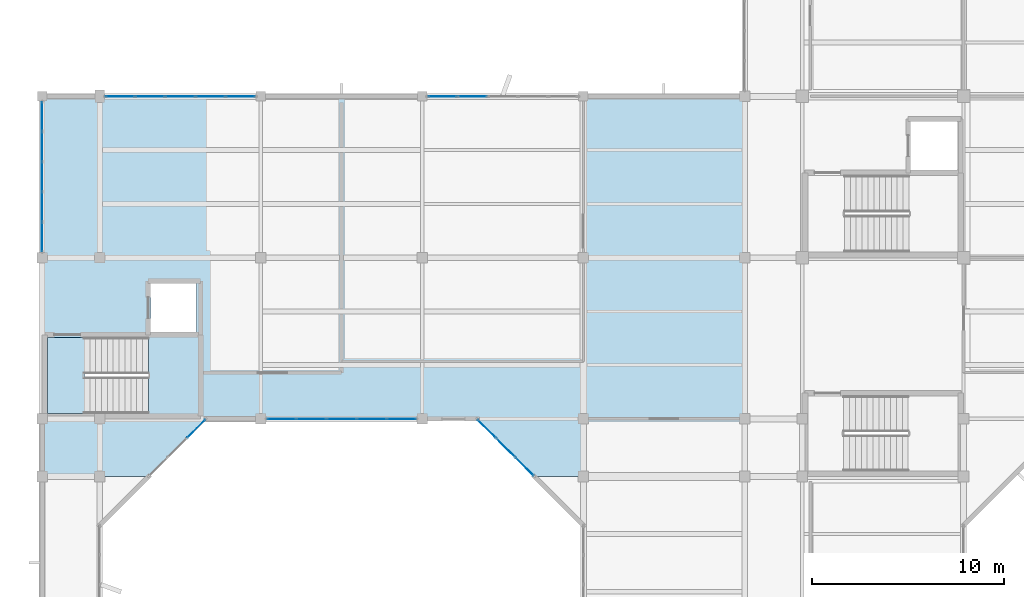
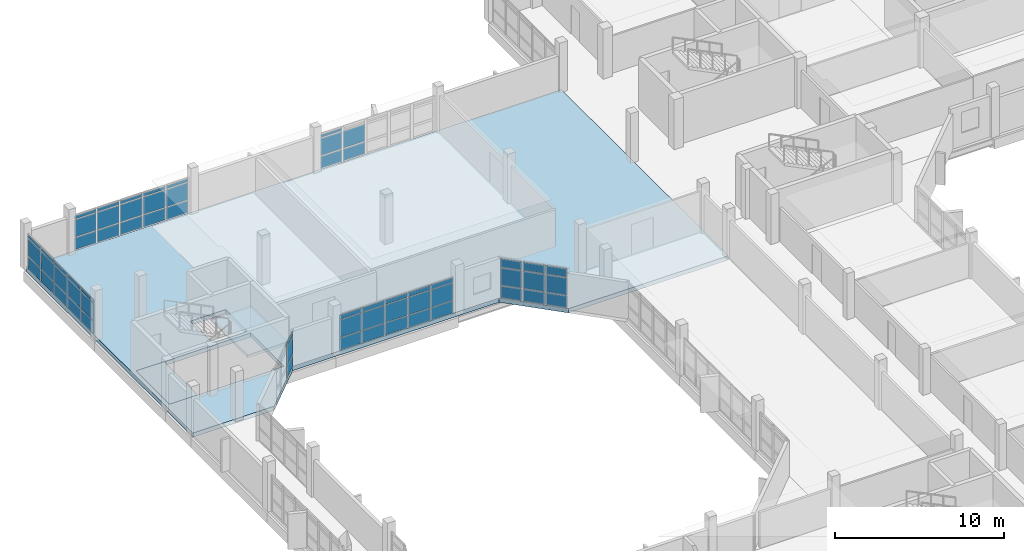
# One storey, part 27 of 51: 62 plates, 3 slabs, 7 elements without a shape of their own.
"""IFC4 building model written with IfcOpenShell, lengths in metres."""

import ifcopenshell
import ifcopenshell.guid

model = None  # the IFC model being written
_history = None  # IfcOwnerHistory: only IFC2X3 demands one
_inside = {}  # id of a spatial element -> (the spatial element, [elements in it])
_under = {}  # id of a project, library or spatial element -> (it, [spatial elements below it])
_declared = {}  # id of a project -> (the project, [libraries it declares])
_typed = {}  # id of a type object -> (the type object, [elements of that type])
_made_of = {}  # id of a material, layer set ... -> (it, [elements and type objects made of it])


def new_model(schema):
    """Start an empty IFC model of exactly this schema.

    Asked for "IFC4X3", IfcOpenShell would pick the latest addendum, in which some entities
    have other attributes; the version numbers below select the first issue.
    IFC2X3 requires an IfcOwnerHistory on every rooted entity: one is made here for all.
    """
    global model, _history
    if schema == "IFC4X3":
        model = ifcopenshell.file(schema_version=(4, 3, 0, 0))
    else:
        model = ifcopenshell.file(schema=schema)
    _inside.clear()
    _under.clear()
    _declared.clear()
    _typed.clear()
    _made_of.clear()
    _history = None
    if model.schema == "IFC2X3":
        org = make("IfcOrganization", Name="unknown")
        user = make(
            "IfcPersonAndOrganization",
            ThePerson=make("IfcPerson", FamilyName="unknown"),
            TheOrganization=org,
        )
        app = make(
            "IfcApplication",
            ApplicationDeveloper=org,
            Version="unknown",
            ApplicationFullName="unknown",
            ApplicationIdentifier="unknown",
        )
        _history = make(
            "IfcOwnerHistory",
            OwningUser=user,
            OwningApplication=app,
            ChangeAction="ADDED",
            CreationDate=0,
        )
    return model


def make(cls, **values):
    """One entity of the class cls with the attributes given. An attribute that is None is left unset."""
    return model.create_entity(
        cls, **{name: value for name, value in values.items() if value is not None}
    )


def rooted(cls, **values):
    """An entity with a GlobalId (a new one), such as an element, a storey or a relation."""
    return make(cls, GlobalId=ifcopenshell.guid.new(), OwnerHistory=_history, **values)


def si_unit(unit_type, name, prefix=None):
    """IfcSIUnit, for example si_unit("LENGTHUNIT", "METRE", prefix="MILLI")."""
    return make("IfcSIUnit", UnitType=unit_type, Prefix=prefix, Name=name)


def assignment(units):
    """IfcUnitAssignment: the units of a project."""
    return None if units is None else make("IfcUnitAssignment", Units=units)


def point(xyz):
    """IfcCartesianPoint."""
    return None if xyz is None else make("IfcCartesianPoint", Coordinates=xyz)


def direction(xyz):
    """IfcDirection."""
    return None if xyz is None else make("IfcDirection", DirectionRatios=xyz)


def frame(location, z_axis=None, x_axis=None):
    """IfcAxis2Placement3D, a coordinate frame: its origin and axes. An axis left out is left unset."""
    return make(
        "IfcAxis2Placement3D",
        Location=point(location),
        Axis=direction(z_axis),
        RefDirection=direction(x_axis),
    )


def frame_2d(location, x_axis=None):
    """IfcAxis2Placement2D, a coordinate frame in the plane: its origin and x axis."""
    return make(
        "IfcAxis2Placement2D", Location=point(location), RefDirection=direction(x_axis)
    )


def origin():
    """The frame at (0, 0, 0) with its axes left unset."""
    return frame((0.0, 0.0, 0.0))


def origin_2d():
    """The frame at (0, 0) in the plane with its x axis left unset."""
    return frame_2d((0.0, 0.0))


def place(relative_to, where):
    """IfcLocalPlacement: puts the frame where relative to a parent placement (None: the world)."""
    return make(
        "IfcLocalPlacement", PlacementRelTo=relative_to, RelativePlacement=where
    )


def context(
    kind, dimensions, precision=None, world=None, true_north=None, identifier=None
):
    """IfcGeometricRepresentationContext, for example the 3D "Model" context."""
    return make(
        "IfcGeometricRepresentationContext",
        ContextIdentifier=identifier,
        ContextType=kind,
        CoordinateSpaceDimension=dimensions,
        Precision=precision,
        WorldCoordinateSystem=world,
        TrueNorth=true_north,
    )


def subcontext(parent, identifier, kind, view, scale=None):
    """IfcGeometricRepresentationSubContext, for example "Body" below "Model"."""
    return make(
        "IfcGeometricRepresentationSubContext",
        ContextIdentifier=identifier,
        ContextType=kind,
        ParentContext=parent,
        TargetScale=scale,
        TargetView=view,
    )


def project(units=None, contexts=None):
    """IfcProject with its units and contexts."""
    return rooted(
        "IfcProject",
        Name="project",
        RepresentationContexts=contexts,
        UnitsInContext=assignment(units),
    )


def spatial(cls, under=None, at=None, **own):
    """A site, building, storey or space (cls), placed at a placement, below another one or the project."""
    s = rooted(cls, ObjectPlacement=at, **own)
    if under is not None:
        _under.setdefault(under.id(), (under, []))[1].append(s)
    return s


def polyline(points):
    """IfcPolyline through the points."""
    return make("IfcPolyline", Points=[point(p) for p in points])


def profile(cls, at=None, kind="AREA", **sizes):
    """A parametric profile (cls). Its sizes go by their IFC names, for example OverallWidth=200.0."""
    return make(cls, ProfileType=kind, Position=at, **sizes)


def rectangle(**sizes):
    """IfcRectangleProfileDef."""
    return profile("IfcRectangleProfileDef", **sizes)


def outline(outer, holes=None, kind="AREA"):
    """IfcArbitraryClosedProfileDef: a profile drawn as a closed curve; with holes, ...WithVoids."""
    if holes is None:
        return make("IfcArbitraryClosedProfileDef", ProfileType=kind, OuterCurve=outer)
    return make(
        "IfcArbitraryProfileDefWithVoids",
        ProfileType=kind,
        OuterCurve=outer,
        InnerCurves=holes,
    )


def extrude(swept, where, along, depth):
    """IfcExtrudedAreaSolid: the profile swept, set in the frame where, extruded along a direction by depth."""
    return make(
        "IfcExtrudedAreaSolid",
        SweptArea=swept,
        Position=where,
        ExtrudedDirection=direction(along),
        Depth=depth,
    )


def shape(context_of_items, identifier, shape_type, items):
    """IfcShapeRepresentation: the items that make up one representation, for example the "Body"."""
    return make(
        "IfcShapeRepresentation",
        ContextOfItems=context_of_items,
        RepresentationIdentifier=identifier,
        RepresentationType=shape_type,
        Items=items,
    )


def material(Name=None, Category=None):
    """IfcMaterial."""
    return make("IfcMaterial", Name=Name, Category=Category)


def layer(
    of_material, thickness, ventilated=None, Name=None, Category=None, Priority=None
):
    """IfcMaterialLayer: one layer of a wall or slab, of a material (None: an air gap)."""
    return make(
        "IfcMaterialLayer",
        Material=of_material,
        LayerThickness=thickness,
        IsVentilated=ventilated,
        Name=Name,
        Category=Category,
        Priority=Priority,
    )


def layer_set(layers, Name=None):
    """IfcMaterialLayerSet."""
    return make("IfcMaterialLayerSet", MaterialLayers=layers, LayerSetName=Name)


def made_of(thing, what):
    """Note that an element or type object is made of a material, layer set ...; save() writes the relation."""
    if what is not None:
        _made_of.setdefault(what.id(), (what, []))[1].append(thing)
    return thing


def type_object(cls, material=None, **own):
    """A type object (cls), such as IfcWallType, which elements share."""
    return made_of(rooted(cls, **own), material)


def element(
    cls,
    number,
    at=None,
    inside=None,
    cuts=None,
    type_object=None,
    material=None,
    context=None,
    identifier="Body",
    shape_type=None,
    held_by="IfcProductDefinitionShape",
    body=None,
    shapes=None,
    **own,
):
    """One element of the class cls, such as IfcWall. Its Tag is "e" and its number.

    at: its placement. inside: the storey or other place that contains it. cuts: it is an
    opening in that element (IfcRelVoidsElement). A single representation is given by context,
    identifier, shape_type and body (its items); several are given by shapes. held_by: the class
    of the entity that holds the representations. save() writes the other relations.
    """
    e = rooted(cls, Tag="e%d" % number, ObjectPlacement=at, **own)
    if body is not None:
        shapes = [shape(context, identifier, shape_type, body)]
    if shapes is not None:
        e.Representation = make(held_by, Representations=shapes)
    if inside is not None:
        _inside.setdefault(inside.id(), (inside, []))[1].append(e)
    if cuts is not None:
        rooted(
            "IfcRelVoidsElement", RelatingBuildingElement=cuts, RelatedOpeningElement=e
        )
    if type_object is not None:
        _typed.setdefault(type_object.id(), (type_object, []))[1].append(e)
    return made_of(e, material)


def aggregate(whole, parts):
    """IfcRelAggregates: a whole, such as a stair, and the parts it consists of."""
    return rooted("IfcRelAggregates", RelatingObject=whole, RelatedObjects=parts)


def save(model, path):
    """Write the relations noted so far, then the file.

    IfcRelAggregates (storeys below a building ...), IfcRelContainedInSpatialStructure (elements
    in a storey), IfcRelDefinesByType, IfcRelAssociatesMaterial and IfcRelDeclares: one each for
    every whole, place, type object, material and project.
    """
    for whole, parts in _under.values():
        aggregate(whole, parts)
    for where, things in _inside.values():
        rooted(
            "IfcRelContainedInSpatialStructure",
            RelatedElements=things,
            RelatingStructure=where,
        )
    for kind, things in _typed.values():
        rooted("IfcRelDefinesByType", RelatedObjects=things, RelatingType=kind)
    for what, things in _made_of.values():
        rooted("IfcRelAssociatesMaterial", RelatedObjects=things, RelatingMaterial=what)
    for by, libraries in _declared.values():
        rooted("IfcRelDeclares", RelatingContext=by, RelatedDefinitions=libraries)
    model.write(path)


model = new_model("IFC4")

# Units and contexts
model_context = context("Model", 3, precision=1e-05, world=origin(), true_north=direction((0.0, 1.0)))
body_context = subcontext(model_context, "Body", "Model", "MODEL_VIEW")
ifc_project = project(units=[si_unit("LENGTHUNIT", "METRE"), si_unit("AREAUNIT", "SQUARE_METRE"), si_unit("VOLUMEUNIT", "CUBIC_METRE"), si_unit("PLANEANGLEUNIT", "RADIAN"), si_unit("MASSUNIT", "GRAM", prefix="KILO")], contexts=[model_context])

# Site, building, storey
site_placement = place(None, origin())
site = spatial("IfcSite", under=ifc_project, at=site_placement, CompositionType="ELEMENT")
building_placement = place(site_placement, origin())
building = spatial("IfcBuilding", under=site, at=building_placement, Name="Vanh Quang Courtyard School", CompositionType="ELEMENT")
storey_placement = place(building_placement, frame((0.0, 0.0, 11.39990234375)))
storey = spatial("IfcBuildingStorey", under=building, at=storey_placement, Name="L03", CompositionType="ELEMENT", Elevation=11.39990234375)

# Curtain wall, plates
ifc_material_1 = material(Name="Thermally broken aluminium unitised curtain wall", Category="aluminium")
curtain_wall_type_1 = type_object("IfcCurtainWallType", Name="CW-SYS-19", PredefinedType="NOTDEFINED", material=ifc_material_1)
curtain_wall_1_placement = place(storey_placement, origin())
curtain_wall_1 = element("IfcCurtainWall", 1, at=curtain_wall_1_placement, inside=storey, type_object=curtain_wall_type_1, Name="Curtain Wall CW-19 (L03)", PredefinedType="NOTDEFINED")
ifc_material_2 = material(Name="Low-E laminated double glazing", Category="glass")
ifc_layer_1 = layer(ifc_material_2, 0.028076171875)
ifc_layer_set_1 = layer_set([ifc_layer_1], Name="Low-E laminated double glazing")
plate_type_1 = type_object("IfcPlateType", Name="CW-PNL-28", PredefinedType="CURTAIN_PANEL", material=ifc_layer_set_1)
plate_1_placement = place(storey_placement, frame((37.800048828125, 80.8837890625, 0.06005859375), z_axis=(0.0, 0.0, 1.0), x_axis=(0.0, 1.0, 0.0)))
plate_1 = element("IfcPlate", 2, at=plate_1_placement, type_object=plate_type_1, Name="CW-19 panel 1.1", PredefinedType="CURTAIN_PANEL", context=body_context, shape_type="SweptSolid", body=[
    extrude(rectangle(XDim=1.481689453125, YDim=0.028076171875, at=origin_2d()), origin(), (0.0, 0.0, 1.0), 0.860107421875),
])
plate_2_placement = place(storey_placement, frame((37.800048828125, 80.8837890625, 0.97998046875), z_axis=(0.0, 0.0, 1.0), x_axis=(0.0, 1.0, 0.0)))
plate_2 = element("IfcPlate", 3, at=plate_2_placement, type_object=plate_type_1, Name="CW-19 panel 1.2", PredefinedType="CURTAIN_PANEL", context=body_context, shape_type="SweptSolid", body=[
    extrude(rectangle(XDim=1.481689453125, YDim=0.028076171875, at=origin_2d()), origin(), (0.0, 0.0, 1.0), 1.239990234375),
])
plate_3_placement = place(storey_placement, frame((37.800048828125, 80.8837890625, 2.2802734375), z_axis=(0.0, 0.0, 1.0), x_axis=(0.0, 1.0, 0.0)))
plate_3 = element("IfcPlate", 4, at=plate_3_placement, type_object=plate_type_1, Name="CW-19 panel 1.3", PredefinedType="CURTAIN_PANEL", context=body_context, shape_type="SweptSolid", body=[
    extrude(rectangle(XDim=1.481689453125, YDim=0.028076171875, at=origin_2d()), origin(), (0.0, 0.0, 1.0), 0.239990234375),
])
plate_4_placement = place(storey_placement, frame((37.800048828125, 82.440673828125, 0.06005859375), z_axis=(0.0, 0.0, 1.0), x_axis=(0.0, 1.0, 0.0)))
plate_4 = element("IfcPlate", 5, at=plate_4_placement, type_object=plate_type_1, Name="CW-19 panel 2.1", PredefinedType="CURTAIN_PANEL", context=body_context, shape_type="SweptSolid", body=[
    extrude(rectangle(XDim=1.51171875, YDim=0.028076171875, at=origin_2d()), origin(), (0.0, 0.0, 1.0), 0.860107421875),
])
plate_5_placement = place(storey_placement, frame((37.800048828125, 82.440673828125, 0.97998046875), z_axis=(0.0, 0.0, 1.0), x_axis=(0.0, 1.0, 0.0)))
plate_5 = element("IfcPlate", 6, at=plate_5_placement, type_object=plate_type_1, Name="CW-19 panel 2.2", PredefinedType="CURTAIN_PANEL", context=body_context, shape_type="SweptSolid", body=[
    extrude(rectangle(XDim=1.51171875, YDim=0.028076171875, at=origin_2d()), origin(), (0.0, 0.0, 1.0), 1.239990234375),
])
plate_6_placement = place(storey_placement, frame((37.800048828125, 82.440673828125, 2.2802734375), z_axis=(0.0, 0.0, 1.0), x_axis=(0.0, 1.0, 0.0)))
plate_6 = element("IfcPlate", 7, at=plate_6_placement, type_object=plate_type_1, Name="CW-19 panel 2.3", PredefinedType="CURTAIN_PANEL", context=body_context, shape_type="SweptSolid", body=[
    extrude(rectangle(XDim=1.51171875, YDim=0.028076171875, at=origin_2d()), origin(), (0.0, 0.0, 1.0), 0.239990234375),
])
plate_7_placement = place(storey_placement, frame((37.800048828125, 84.012451171875, 0.06005859375), z_axis=(0.0, 0.0, 1.0), x_axis=(0.0, 1.0, 0.0)))
plate_7 = element("IfcPlate", 8, at=plate_7_placement, type_object=plate_type_1, Name="CW-19 panel 3.1", PredefinedType="CURTAIN_PANEL", context=body_context, shape_type="SweptSolid", body=[
    extrude(rectangle(XDim=1.51171875, YDim=0.028076171875, at=origin_2d()), origin(), (0.0, 0.0, 1.0), 0.860107421875),
])
plate_8_placement = place(storey_placement, frame((37.800048828125, 84.012451171875, 0.97998046875), z_axis=(0.0, 0.0, 1.0), x_axis=(0.0, 1.0, 0.0)))
plate_8 = element("IfcPlate", 9, at=plate_8_placement, type_object=plate_type_1, Name="CW-19 panel 3.2", PredefinedType="CURTAIN_PANEL", context=body_context, shape_type="SweptSolid", body=[
    extrude(rectangle(XDim=1.51171875, YDim=0.028076171875, at=origin_2d()), origin(), (0.0, 0.0, 1.0), 1.239990234375),
])
plate_9_placement = place(storey_placement, frame((37.800048828125, 84.012451171875, 2.2802734375), z_axis=(0.0, 0.0, 1.0), x_axis=(0.0, 1.0, 0.0)))
plate_9 = element("IfcPlate", 10, at=plate_9_placement, type_object=plate_type_1, Name="CW-19 panel 3.3", PredefinedType="CURTAIN_PANEL", context=body_context, shape_type="SweptSolid", body=[
    extrude(rectangle(XDim=1.51171875, YDim=0.028076171875, at=origin_2d()), origin(), (0.0, 0.0, 1.0), 0.239990234375),
])
plate_10_placement = place(storey_placement, frame((37.800048828125, 85.584228515625, 0.06005859375), z_axis=(0.0, 0.0, 1.0), x_axis=(0.0, 1.0, 0.0)))
plate_10 = element("IfcPlate", 11, at=plate_10_placement, type_object=plate_type_1, Name="CW-19 panel 4.1", PredefinedType="CURTAIN_PANEL", context=body_context, shape_type="SweptSolid", body=[
    extrude(rectangle(XDim=1.51171875, YDim=0.028076171875, at=origin_2d()), origin(), (0.0, 0.0, 1.0), 0.860107421875),
])
plate_11_placement = place(storey_placement, frame((37.800048828125, 85.584228515625, 0.97998046875), z_axis=(0.0, 0.0, 1.0), x_axis=(0.0, 1.0, 0.0)))
plate_11 = element("IfcPlate", 12, at=plate_11_placement, type_object=plate_type_1, Name="CW-19 panel 4.2", PredefinedType="CURTAIN_PANEL", context=body_context, shape_type="SweptSolid", body=[
    extrude(rectangle(XDim=1.51171875, YDim=0.028076171875, at=origin_2d()), origin(), (0.0, 0.0, 1.0), 1.239990234375),
])
plate_12_placement = place(storey_placement, frame((37.800048828125, 85.584228515625, 2.2802734375), z_axis=(0.0, 0.0, 1.0), x_axis=(0.0, 1.0, 0.0)))
plate_12 = element("IfcPlate", 13, at=plate_12_placement, type_object=plate_type_1, Name="CW-19 panel 4.3", PredefinedType="CURTAIN_PANEL", context=body_context, shape_type="SweptSolid", body=[
    extrude(rectangle(XDim=1.51171875, YDim=0.028076171875, at=origin_2d()), origin(), (0.0, 0.0, 1.0), 0.239990234375),
])
plate_13_placement = place(storey_placement, frame((37.800048828125, 87.14111328125, 0.06005859375), z_axis=(0.0, 0.0, 1.0), x_axis=(0.0, 1.0, 0.0)))
plate_13 = element("IfcPlate", 14, at=plate_13_placement, type_object=plate_type_1, Name="CW-19 panel 5.1", PredefinedType="CURTAIN_PANEL", context=body_context, shape_type="SweptSolid", body=[
    extrude(rectangle(XDim=1.481689453125, YDim=0.028076171875, at=origin_2d()), origin(), (0.0, 0.0, 1.0), 0.860107421875),
])
plate_14_placement = place(storey_placement, frame((37.800048828125, 87.14111328125, 0.97998046875), z_axis=(0.0, 0.0, 1.0), x_axis=(0.0, 1.0, 0.0)))
plate_14 = element("IfcPlate", 15, at=plate_14_placement, type_object=plate_type_1, Name="CW-19 panel 5.2", PredefinedType="CURTAIN_PANEL", context=body_context, shape_type="SweptSolid", body=[
    extrude(rectangle(XDim=1.481689453125, YDim=0.028076171875, at=origin_2d()), origin(), (0.0, 0.0, 1.0), 1.239990234375),
])
plate_15_placement = place(storey_placement, frame((37.800048828125, 87.14111328125, 2.2802734375), z_axis=(0.0, 0.0, 1.0), x_axis=(0.0, 1.0, 0.0)))
plate_15 = element("IfcPlate", 16, at=plate_15_placement, type_object=plate_type_1, Name="CW-19 panel 5.3", PredefinedType="CURTAIN_PANEL", context=body_context, shape_type="SweptSolid", body=[
    extrude(rectangle(XDim=1.481689453125, YDim=0.028076171875, at=origin_2d()), origin(), (0.0, 0.0, 1.0), 0.239990234375),
])
aggregate(curtain_wall_1, [plate_1, plate_2, plate_3, plate_4, plate_5, plate_6, plate_7, plate_8, plate_9, plate_10, plate_11, plate_12, plate_13, plate_14, plate_15])

curtain_wall_2_placement = place(storey_placement, origin())
curtain_wall_2 = element("IfcCurtainWall", 17, at=curtain_wall_2_placement, inside=storey, type_object=curtain_wall_type_1, Name="Curtain Wall CW-19 (L03)", PredefinedType="NOTDEFINED")
plate_16_placement = place(storey_placement, frame((58.66650390625, 88.199951171875, 0.080078125), z_axis=(0.0, 0.0, 1.0), x_axis=(1.0, 0.0, 0.0)))
plate_16 = element("IfcPlate", 18, at=plate_16_placement, type_object=plate_type_1, Name="CW-19 panel 1.1", PredefinedType="CURTAIN_PANEL", context=body_context, shape_type="SweptSolid", body=[
    extrude(rectangle(XDim=1.456787109375, YDim=0.028076171875, at=origin_2d()), origin(), (0.0, 0.0, 1.0), 0.830078125),
])
plate_17_placement = place(storey_placement, frame((58.66650390625, 88.199951171875, 0.990234375), z_axis=(0.0, 0.0, 1.0), x_axis=(1.0, 0.0, 0.0)))
plate_17 = element("IfcPlate", 19, at=plate_17_placement, type_object=plate_type_1, Name="CW-19 panel 1.2", PredefinedType="CURTAIN_PANEL", context=body_context, shape_type="SweptSolid", body=[
    extrude(rectangle(XDim=1.456787109375, YDim=0.028076171875, at=origin_2d()), origin(), (0.0, 0.0, 1.0), 1.219970703125),
])
plate_18_placement = place(storey_placement, frame((58.66650390625, 88.199951171875, 2.2900390625), z_axis=(0.0, 0.0, 1.0), x_axis=(1.0, 0.0, 0.0)))
plate_18 = element("IfcPlate", 20, at=plate_18_placement, type_object=plate_type_1, Name="CW-19 panel 1.3", PredefinedType="CURTAIN_PANEL", context=body_context, shape_type="SweptSolid", body=[
    extrude(rectangle(XDim=1.456787109375, YDim=0.028076171875, at=origin_2d()), origin(), (0.0, 0.0, 1.0), 0.2099609375),
])
plate_19_placement = place(storey_placement, frame((60.22314453125, 88.199951171875, 0.080078125), z_axis=(0.0, 0.0, 1.0), x_axis=(1.0, 0.0, 0.0)))
plate_19 = element("IfcPlate", 21, at=plate_19_placement, type_object=plate_type_1, Name="CW-19 panel 2.1", PredefinedType="CURTAIN_PANEL", context=body_context, shape_type="SweptSolid", body=[
    extrude(rectangle(XDim=1.496826171875, YDim=0.028076171875, at=origin_2d()), origin(), (0.0, 0.0, 1.0), 0.830078125),
])
plate_20_placement = place(storey_placement, frame((60.22314453125, 88.199951171875, 0.990234375), z_axis=(0.0, 0.0, 1.0), x_axis=(1.0, 0.0, 0.0)))
plate_20 = element("IfcPlate", 22, at=plate_20_placement, type_object=plate_type_1, Name="CW-19 panel 2.2", PredefinedType="CURTAIN_PANEL", context=body_context, shape_type="SweptSolid", body=[
    extrude(rectangle(XDim=1.496826171875, YDim=0.028076171875, at=origin_2d()), origin(), (0.0, 0.0, 1.0), 1.219970703125),
])
aggregate(curtain_wall_2, [plate_16, plate_17, plate_18, plate_19, plate_20])

curtain_wall_type_2 = type_object("IfcCurtainWallType", Name="CW-SYS-62", PredefinedType="NOTDEFINED", material=ifc_material_1)
curtain_wall_3_placement = place(storey_placement, origin())
curtain_wall_3 = element("IfcCurtainWall", 23, at=curtain_wall_3_placement, inside=storey, type_object=curtain_wall_type_2, Name="Curtain Wall CW-62 (L03)", PredefinedType="NOTDEFINED")
plate_21_placement = place(storey_placement, frame((62.94189453125, 68.9140625, 0.080078125), z_axis=(0.0, 0.0, 1.0), x_axis=(-0.707106781187, 0.707106781187, 0.0)))
plate_21 = element("IfcPlate", 24, at=plate_21_placement, type_object=plate_type_1, Name="CW-62 panel 1.1", PredefinedType="CURTAIN_PANEL", context=body_context, shape_type="SweptSolid", body=[
    extrude(rectangle(XDim=1.294189453125, YDim=0.028076171875, at=origin_2d()), origin(), (0.0, 0.0, 1.0), 0.830078125),
])
plate_22_placement = place(storey_placement, frame((62.94189453125, 68.9140625, 0.990234375), z_axis=(0.0, 0.0, 1.0), x_axis=(-0.707106781187, 0.707106781187, 0.0)))
plate_22 = element("IfcPlate", 25, at=plate_22_placement, type_object=plate_type_1, Name="CW-62 panel 1.2", PredefinedType="CURTAIN_PANEL", context=body_context, shape_type="SweptSolid", body=[
    extrude(rectangle(XDim=1.294189453125, YDim=0.028076171875, at=origin_2d()), origin(), (0.0, 0.0, 1.0), 1.219970703125),
])
plate_23_placement = place(storey_placement, frame((62.94189453125, 68.9140625, 2.2900390625), z_axis=(0.0, 0.0, 1.0), x_axis=(-0.707106781187, 0.707106781187, 0.0)))
plate_23 = element("IfcPlate", 26, at=plate_23_placement, type_object=plate_type_1, Name="CW-62 panel 1.3", PredefinedType="CURTAIN_PANEL", context=body_context, shape_type="SweptSolid", body=[
    extrude(rectangle(XDim=1.294189453125, YDim=0.028076171875, at=origin_2d()), origin(), (0.0, 0.0, 1.0), 0.580078125),
])
plate_24_placement = place(storey_placement, frame((61.9560546875, 69.89990234375, 0.080078125), z_axis=(0.0, 0.0, 1.0), x_axis=(-0.707106781187, 0.707106781187, 0.0)))
plate_24 = element("IfcPlate", 27, at=plate_24_placement, type_object=plate_type_1, Name="CW-62 panel 2.1", PredefinedType="CURTAIN_PANEL", context=body_context, shape_type="SweptSolid", body=[
    extrude(rectangle(XDim=1.334228515625, YDim=0.028076171875, at=origin_2d()), origin(), (0.0, 0.0, 1.0), 0.830078125),
])
plate_25_placement = place(storey_placement, frame((61.9560546875, 69.89990234375, 0.990234375), z_axis=(0.0, 0.0, 1.0), x_axis=(-0.707106781187, 0.707106781187, 0.0)))
plate_25 = element("IfcPlate", 28, at=plate_25_placement, type_object=plate_type_1, Name="CW-62 panel 2.2", PredefinedType="CURTAIN_PANEL", context=body_context, shape_type="SweptSolid", body=[
    extrude(rectangle(XDim=1.334228515625, YDim=0.028076171875, at=origin_2d()), origin(), (0.0, 0.0, 1.0), 1.219970703125),
])
plate_26_placement = place(storey_placement, frame((61.9560546875, 69.89990234375, 2.2900390625), z_axis=(0.0, 0.0, 1.0), x_axis=(-0.707106781187, 0.707106781187, 0.0)))
plate_26 = element("IfcPlate", 29, at=plate_26_placement, type_object=plate_type_1, Name="CW-62 panel 2.3", PredefinedType="CURTAIN_PANEL", context=body_context, shape_type="SweptSolid", body=[
    extrude(rectangle(XDim=1.334228515625, YDim=0.028076171875, at=origin_2d()), origin(), (0.0, 0.0, 1.0), 0.580078125),
])
plate_27_placement = place(storey_placement, frame((60.97021484375, 70.8857421875, 0.080078125), z_axis=(0.0, 0.0, 1.0), x_axis=(-0.707106781187, 0.707106781187, 0.0)))
plate_27 = element("IfcPlate", 30, at=plate_27_placement, type_object=plate_type_1, Name="CW-62 panel 3.1", PredefinedType="CURTAIN_PANEL", context=body_context, shape_type="SweptSolid", body=[
    extrude(rectangle(XDim=1.294189453125, YDim=0.028076171875, at=origin_2d()), origin(), (0.0, 0.0, 1.0), 0.830078125),
])
plate_28_placement = place(storey_placement, frame((60.97021484375, 70.8857421875, 0.990234375), z_axis=(0.0, 0.0, 1.0), x_axis=(-0.707106781187, 0.707106781187, 0.0)))
plate_28 = element("IfcPlate", 31, at=plate_28_placement, type_object=plate_type_1, Name="CW-62 panel 3.2", PredefinedType="CURTAIN_PANEL", context=body_context, shape_type="SweptSolid", body=[
    extrude(rectangle(XDim=1.294189453125, YDim=0.028076171875, at=origin_2d()), origin(), (0.0, 0.0, 1.0), 1.219970703125),
])
plate_29_placement = place(storey_placement, frame((60.97021484375, 70.8857421875, 2.2900390625), z_axis=(0.0, 0.0, 1.0), x_axis=(-0.707106781187, 0.707106781187, 0.0)))
plate_29 = element("IfcPlate", 32, at=plate_29_placement, type_object=plate_type_1, Name="CW-62 panel 3.3", PredefinedType="CURTAIN_PANEL", context=body_context, shape_type="SweptSolid", body=[
    extrude(rectangle(XDim=1.294189453125, YDim=0.028076171875, at=origin_2d()), origin(), (0.0, 0.0, 1.0), 0.580078125),
])
aggregate(curtain_wall_3, [plate_21, plate_22, plate_23, plate_24, plate_25, plate_26, plate_27, plate_28, plate_29])

curtain_wall_type_3 = type_object("IfcCurtainWallType", Name="CW-SYS-39", PredefinedType="NOTDEFINED", material=ifc_material_1)
curtain_wall_4_placement = place(storey_placement, origin())
curtain_wall_4 = element("IfcCurtainWall", 33, at=curtain_wall_4_placement, inside=storey, type_object=curtain_wall_type_3, Name="Curtain Wall CW-39 (L03)", PredefinedType="NOTDEFINED")
plate_30_placement = place(storey_placement, frame((45.83154296875, 70.8876953125, 0.0703125), z_axis=(0.0, 0.0, 1.0), x_axis=(-0.707106781187, -0.707106781187, 0.0)))
plate_30 = element("IfcPlate", 34, at=plate_30_placement, type_object=plate_type_1, Name="CW-39 panel 1.1", PredefinedType="CURTAIN_PANEL", context=body_context, shape_type="SweptSolid", body=[
    extrude(rectangle(XDim=1.309326171875, YDim=0.028076171875, at=origin_2d()), origin(), (0.0, 0.0, 1.0), 0.844970703125),
])
plate_31_placement = place(storey_placement, frame((45.83154296875, 70.8876953125, 0.985107421875), z_axis=(0.0, 0.0, 1.0), x_axis=(-0.707106781187, -0.707106781187, 0.0)))
plate_31 = element("IfcPlate", 35, at=plate_31_placement, type_object=plate_type_1, Name="CW-39 panel 1.2", PredefinedType="CURTAIN_PANEL", context=body_context, shape_type="SweptSolid", body=[
    extrude(rectangle(XDim=1.309326171875, YDim=0.028076171875, at=origin_2d()), origin(), (0.0, 0.0, 1.0), 1.22998046875),
])
plate_32_placement = place(storey_placement, frame((45.83154296875, 70.8876953125, 2.28515625), z_axis=(0.0, 0.0, 1.0), x_axis=(-0.707106781187, -0.707106781187, 0.0)))
plate_32 = element("IfcPlate", 36, at=plate_32_placement, type_object=plate_type_1, Name="CW-39 panel 1.3", PredefinedType="CURTAIN_PANEL", context=body_context, shape_type="SweptSolid", body=[
    extrude(rectangle(XDim=1.309326171875, YDim=0.028076171875, at=origin_2d()), origin(), (0.0, 0.0, 1.0), 0.284912109375),
])
aggregate(curtain_wall_4, [plate_30, plate_31, plate_32])

curtain_wall_5_placement = place(storey_placement, origin())
curtain_wall_5 = element("IfcCurtainWall", 37, at=curtain_wall_5_placement, inside=storey, type_object=curtain_wall_type_1, Name="Curtain Wall CW-19 (L03)", PredefinedType="NOTDEFINED")
ifc_layer_2 = layer(ifc_material_2, 0.031982421875)
ifc_layer_set_2 = layer_set([ifc_layer_2], Name="Low-E laminated double glazing")
plate_type_2 = type_object("IfcPlateType", Name="CW-PNL-32", PredefinedType="CURTAIN_PANEL", material=ifc_layer_set_2)
plate_33_placement = place(storey_placement, frame((41.864013671875, 88.199951171875, 0.0703125), z_axis=(0.0, 0.0, 1.0), x_axis=(1.0, 0.0, 0.0)))
plate_33 = element("IfcPlate", 38, at=plate_33_placement, type_object=plate_type_2, Name="CW-19 panel 1.1", PredefinedType="CURTAIN_PANEL", context=body_context, shape_type="SweptSolid", body=[
    extrude(rectangle(XDim=1.4716796875, YDim=0.031982421875, at=origin_2d()), origin(), (0.0, 0.0, 1.0), 0.844970703125),
])
plate_34_placement = place(storey_placement, frame((41.864013671875, 88.199951171875, 0.985107421875), z_axis=(0.0, 0.0, 1.0), x_axis=(1.0, 0.0, 0.0)))
plate_34 = element("IfcPlate", 39, at=plate_34_placement, type_object=plate_type_2, Name="CW-19 panel 1.2", PredefinedType="CURTAIN_PANEL", context=body_context, shape_type="SweptSolid", body=[
    extrude(rectangle(XDim=1.4716796875, YDim=0.031982421875, at=origin_2d()), origin(), (0.0, 0.0, 1.0), 1.22998046875),
])
plate_35_placement = place(storey_placement, frame((41.864013671875, 88.199951171875, 2.28515625), z_axis=(0.0, 0.0, 1.0), x_axis=(1.0, 0.0, 0.0)))
plate_35 = element("IfcPlate", 40, at=plate_35_placement, type_object=plate_type_2, Name="CW-19 panel 1.3", PredefinedType="CURTAIN_PANEL", context=body_context, shape_type="SweptSolid", body=[
    extrude(rectangle(XDim=1.4716796875, YDim=0.031982421875, at=origin_2d()), origin(), (0.0, 0.0, 1.0), 0.22509765625),
])
plate_36_placement = place(storey_placement, frame((43.423095703125, 88.199951171875, 0.0703125), z_axis=(0.0, 0.0, 1.0), x_axis=(1.0, 0.0, 0.0)))
plate_36 = element("IfcPlate", 41, at=plate_36_placement, type_object=plate_type_2, Name="CW-19 panel 2.1", PredefinedType="CURTAIN_PANEL", context=body_context, shape_type="SweptSolid", body=[
    extrude(rectangle(XDim=1.5068359375, YDim=0.031982421875, at=origin_2d()), origin(), (0.0, 0.0, 1.0), 0.844970703125),
])
plate_37_placement = place(storey_placement, frame((43.423095703125, 88.199951171875, 0.985107421875), z_axis=(0.0, 0.0, 1.0), x_axis=(1.0, 0.0, 0.0)))
plate_37 = element("IfcPlate", 42, at=plate_37_placement, type_object=plate_type_2, Name="CW-19 panel 2.2", PredefinedType="CURTAIN_PANEL", context=body_context, shape_type="SweptSolid", body=[
    extrude(rectangle(XDim=1.5068359375, YDim=0.031982421875, at=origin_2d()), origin(), (0.0, 0.0, 1.0), 1.22998046875),
])
plate_38_placement = place(storey_placement, frame((43.423095703125, 88.199951171875, 2.28515625), z_axis=(0.0, 0.0, 1.0), x_axis=(1.0, 0.0, 0.0)))
plate_38 = element("IfcPlate", 43, at=plate_38_placement, type_object=plate_type_2, Name="CW-19 panel 2.3", PredefinedType="CURTAIN_PANEL", context=body_context, shape_type="SweptSolid", body=[
    extrude(rectangle(XDim=1.5068359375, YDim=0.031982421875, at=origin_2d()), origin(), (0.0, 0.0, 1.0), 0.22509765625),
])
plate_39_placement = place(storey_placement, frame((45.0, 88.199951171875, 0.0703125), z_axis=(0.0, 0.0, 1.0), x_axis=(1.0, 0.0, 0.0)))
plate_39 = element("IfcPlate", 44, at=plate_39_placement, type_object=plate_type_2, Name="CW-19 panel 3.1", PredefinedType="CURTAIN_PANEL", context=body_context, shape_type="SweptSolid", body=[
    extrude(rectangle(XDim=1.5068359375, YDim=0.031982421875, at=origin_2d()), origin(), (0.0, 0.0, 1.0), 0.844970703125),
])
plate_40_placement = place(storey_placement, frame((45.0, 88.199951171875, 0.985107421875), z_axis=(0.0, 0.0, 1.0), x_axis=(1.0, 0.0, 0.0)))
plate_40 = element("IfcPlate", 45, at=plate_40_placement, type_object=plate_type_2, Name="CW-19 panel 3.2", PredefinedType="CURTAIN_PANEL", context=body_context, shape_type="SweptSolid", body=[
    extrude(rectangle(XDim=1.5068359375, YDim=0.031982421875, at=origin_2d()), origin(), (0.0, 0.0, 1.0), 1.22998046875),
])
plate_41_placement = place(storey_placement, frame((45.0, 88.199951171875, 2.28515625), z_axis=(0.0, 0.0, 1.0), x_axis=(1.0, 0.0, 0.0)))
plate_41 = element("IfcPlate", 46, at=plate_41_placement, type_object=plate_type_2, Name="CW-19 panel 3.3", PredefinedType="CURTAIN_PANEL", context=body_context, shape_type="SweptSolid", body=[
    extrude(rectangle(XDim=1.5068359375, YDim=0.031982421875, at=origin_2d()), origin(), (0.0, 0.0, 1.0), 0.22509765625),
])
plate_42_placement = place(storey_placement, frame((46.576904296875, 88.199951171875, 0.0703125), z_axis=(0.0, 0.0, 1.0), x_axis=(1.0, 0.0, 0.0)))
plate_42 = element("IfcPlate", 47, at=plate_42_placement, type_object=plate_type_2, Name="CW-19 panel 4.1", PredefinedType="CURTAIN_PANEL", context=body_context, shape_type="SweptSolid", body=[
    extrude(rectangle(XDim=1.5068359375, YDim=0.031982421875, at=origin_2d()), origin(), (0.0, 0.0, 1.0), 0.844970703125),
])
plate_43_placement = place(storey_placement, frame((46.576904296875, 88.199951171875, 0.985107421875), z_axis=(0.0, 0.0, 1.0), x_axis=(1.0, 0.0, 0.0)))
plate_43 = element("IfcPlate", 48, at=plate_43_placement, type_object=plate_type_2, Name="CW-19 panel 4.2", PredefinedType="CURTAIN_PANEL", context=body_context, shape_type="SweptSolid", body=[
    extrude(rectangle(XDim=1.5068359375, YDim=0.031982421875, at=origin_2d()), origin(), (0.0, 0.0, 1.0), 1.22998046875),
])
plate_44_placement = place(storey_placement, frame((46.576904296875, 88.199951171875, 2.28515625), z_axis=(0.0, 0.0, 1.0), x_axis=(1.0, 0.0, 0.0)))
plate_44 = element("IfcPlate", 49, at=plate_44_placement, type_object=plate_type_2, Name="CW-19 panel 4.3", PredefinedType="CURTAIN_PANEL", context=body_context, shape_type="SweptSolid", body=[
    extrude(rectangle(XDim=1.5068359375, YDim=0.031982421875, at=origin_2d()), origin(), (0.0, 0.0, 1.0), 0.22509765625),
])
plate_45_placement = place(storey_placement, frame((48.135986328125, 88.199951171875, 0.0703125), z_axis=(0.0, 0.0, 1.0), x_axis=(1.0, 0.0, 0.0)))
plate_45 = element("IfcPlate", 50, at=plate_45_placement, type_object=plate_type_2, Name="CW-19 panel 5.1", PredefinedType="CURTAIN_PANEL", context=body_context, shape_type="SweptSolid", body=[
    extrude(rectangle(XDim=1.4716796875, YDim=0.031982421875, at=origin_2d()), origin(), (0.0, 0.0, 1.0), 0.844970703125),
])
plate_46_placement = place(storey_placement, frame((48.135986328125, 88.199951171875, 0.985107421875), z_axis=(0.0, 0.0, 1.0), x_axis=(1.0, 0.0, 0.0)))
plate_46 = element("IfcPlate", 51, at=plate_46_placement, type_object=plate_type_2, Name="CW-19 panel 5.2", PredefinedType="CURTAIN_PANEL", context=body_context, shape_type="SweptSolid", body=[
    extrude(rectangle(XDim=1.4716796875, YDim=0.031982421875, at=origin_2d()), origin(), (0.0, 0.0, 1.0), 1.22998046875),
])
plate_47_placement = place(storey_placement, frame((48.135986328125, 88.199951171875, 2.28515625), z_axis=(0.0, 0.0, 1.0), x_axis=(1.0, 0.0, 0.0)))
plate_47 = element("IfcPlate", 52, at=plate_47_placement, type_object=plate_type_2, Name="CW-19 panel 5.3", PredefinedType="CURTAIN_PANEL", context=body_context, shape_type="SweptSolid", body=[
    extrude(rectangle(XDim=1.4716796875, YDim=0.031982421875, at=origin_2d()), origin(), (0.0, 0.0, 1.0), 0.22509765625),
])
aggregate(curtain_wall_5, [plate_33, plate_34, plate_35, plate_36, plate_37, plate_38, plate_39, plate_40, plate_41, plate_42, plate_43, plate_44, plate_45, plate_46, plate_47])

curtain_wall_type_4 = type_object("IfcCurtainWallType", Name="CW-SYS-24", PredefinedType="NOTDEFINED", material=ifc_material_1)
curtain_wall_6_placement = place(storey_placement, origin())
curtain_wall_6 = element("IfcCurtainWall", 53, at=curtain_wall_6_placement, inside=storey, type_object=curtain_wall_type_4, Name="Curtain Wall CW-24 (L03)", PredefinedType="NOTDEFINED")
plate_48_placement = place(storey_placement, frame((56.5185546875, 71.39990234375, 0.06005859375), z_axis=(0.0, 0.0, 1.0), x_axis=(-1.0, 0.0, 0.0)))
plate_48 = element("IfcPlate", 54, at=plate_48_placement, type_object=plate_type_2, Name="CW-24 panel 1.1", PredefinedType="CURTAIN_PANEL", context=body_context, shape_type="SweptSolid", body=[
    extrude(rectangle(XDim=1.476806640625, YDim=0.031982421875, at=origin_2d()), origin(), (0.0, 0.0, 1.0), 0.860107421875),
])
plate_49_placement = place(storey_placement, frame((56.5185546875, 71.39990234375, 0.97998046875), z_axis=(0.0, 0.0, 1.0), x_axis=(-1.0, 0.0, 0.0)))
plate_49 = element("IfcPlate", 55, at=plate_49_placement, type_object=plate_type_2, Name="CW-24 panel 1.2", PredefinedType="CURTAIN_PANEL", context=body_context, shape_type="SweptSolid", body=[
    extrude(rectangle(XDim=1.476806640625, YDim=0.031982421875, at=origin_2d()), origin(), (0.0, 0.0, 1.0), 1.239990234375),
])
plate_50_placement = place(storey_placement, frame((56.5185546875, 71.39990234375, 2.2802734375), z_axis=(0.0, 0.0, 1.0), x_axis=(-1.0, 0.0, 0.0)))
plate_50 = element("IfcPlate", 56, at=plate_50_placement, type_object=plate_type_2, Name="CW-24 panel 1.3", PredefinedType="CURTAIN_PANEL", context=body_context, shape_type="SweptSolid", body=[
    extrude(rectangle(XDim=1.476806640625, YDim=0.031982421875, at=origin_2d()), origin(), (0.0, 0.0, 1.0), 0.300048828125),
])
plate_51_placement = place(storey_placement, frame((54.966796875, 71.39990234375, 0.06005859375), z_axis=(0.0, 0.0, 1.0), x_axis=(-1.0, 0.0, 0.0)))
plate_51 = element("IfcPlate", 57, at=plate_51_placement, type_object=plate_type_2, Name="CW-24 panel 2.1", PredefinedType="CURTAIN_PANEL", context=body_context, shape_type="SweptSolid", body=[
    extrude(rectangle(XDim=1.5068359375, YDim=0.031982421875, at=origin_2d()), origin(), (0.0, 0.0, 1.0), 0.860107421875),
])
plate_52_placement = place(storey_placement, frame((54.966796875, 71.39990234375, 0.97998046875), z_axis=(0.0, 0.0, 1.0), x_axis=(-1.0, 0.0, 0.0)))
plate_52 = element("IfcPlate", 58, at=plate_52_placement, type_object=plate_type_2, Name="CW-24 panel 2.2", PredefinedType="CURTAIN_PANEL", context=body_context, shape_type="SweptSolid", body=[
    extrude(rectangle(XDim=1.5068359375, YDim=0.031982421875, at=origin_2d()), origin(), (0.0, 0.0, 1.0), 1.239990234375),
])
plate_53_placement = place(storey_placement, frame((54.966796875, 71.39990234375, 2.2802734375), z_axis=(0.0, 0.0, 1.0), x_axis=(-1.0, 0.0, 0.0)))
plate_53 = element("IfcPlate", 59, at=plate_53_placement, type_object=plate_type_2, Name="CW-24 panel 2.3", PredefinedType="CURTAIN_PANEL", context=body_context, shape_type="SweptSolid", body=[
    extrude(rectangle(XDim=1.5068359375, YDim=0.031982421875, at=origin_2d()), origin(), (0.0, 0.0, 1.0), 0.300048828125),
])
plate_54_placement = place(storey_placement, frame((53.39990234375, 71.39990234375, 0.06005859375), z_axis=(0.0, 0.0, 1.0), x_axis=(-1.0, 0.0, 0.0)))
plate_54 = element("IfcPlate", 60, at=plate_54_placement, type_object=plate_type_2, Name="CW-24 panel 3.1", PredefinedType="CURTAIN_PANEL", context=body_context, shape_type="SweptSolid", body=[
    extrude(rectangle(XDim=1.5068359375, YDim=0.031982421875, at=origin_2d()), origin(), (0.0, 0.0, 1.0), 0.860107421875),
])
plate_55_placement = place(storey_placement, frame((53.39990234375, 71.39990234375, 0.97998046875), z_axis=(0.0, 0.0, 1.0), x_axis=(-1.0, 0.0, 0.0)))
plate_55 = element("IfcPlate", 61, at=plate_55_placement, type_object=plate_type_2, Name="CW-24 panel 3.2", PredefinedType="CURTAIN_PANEL", context=body_context, shape_type="SweptSolid", body=[
    extrude(rectangle(XDim=1.5068359375, YDim=0.031982421875, at=origin_2d()), origin(), (0.0, 0.0, 1.0), 1.239990234375),
])
plate_56_placement = place(storey_placement, frame((53.39990234375, 71.39990234375, 2.2802734375), z_axis=(0.0, 0.0, 1.0), x_axis=(-1.0, 0.0, 0.0)))
plate_56 = element("IfcPlate", 62, at=plate_56_placement, type_object=plate_type_2, Name="CW-24 panel 3.3", PredefinedType="CURTAIN_PANEL", context=body_context, shape_type="SweptSolid", body=[
    extrude(rectangle(XDim=1.5068359375, YDim=0.031982421875, at=origin_2d()), origin(), (0.0, 0.0, 1.0), 0.300048828125),
])
plate_57_placement = place(storey_placement, frame((51.833251953125, 71.39990234375, 0.06005859375), z_axis=(0.0, 0.0, 1.0), x_axis=(-1.0, 0.0, 0.0)))
plate_57 = element("IfcPlate", 63, at=plate_57_placement, type_object=plate_type_2, Name="CW-24 panel 4.1", PredefinedType="CURTAIN_PANEL", context=body_context, shape_type="SweptSolid", body=[
    extrude(rectangle(XDim=1.5068359375, YDim=0.031982421875, at=origin_2d()), origin(), (0.0, 0.0, 1.0), 0.860107421875),
])
plate_58_placement = place(storey_placement, frame((51.833251953125, 71.39990234375, 0.97998046875), z_axis=(0.0, 0.0, 1.0), x_axis=(-1.0, 0.0, 0.0)))
plate_58 = element("IfcPlate", 64, at=plate_58_placement, type_object=plate_type_2, Name="CW-24 panel 4.2", PredefinedType="CURTAIN_PANEL", context=body_context, shape_type="SweptSolid", body=[
    extrude(rectangle(XDim=1.5068359375, YDim=0.031982421875, at=origin_2d()), origin(), (0.0, 0.0, 1.0), 1.239990234375),
])
plate_59_placement = place(storey_placement, frame((51.833251953125, 71.39990234375, 2.2802734375), z_axis=(0.0, 0.0, 1.0), x_axis=(-1.0, 0.0, 0.0)))
plate_59 = element("IfcPlate", 65, at=plate_59_placement, type_object=plate_type_2, Name="CW-24 panel 4.3", PredefinedType="CURTAIN_PANEL", context=body_context, shape_type="SweptSolid", body=[
    extrude(rectangle(XDim=1.5068359375, YDim=0.031982421875, at=origin_2d()), origin(), (0.0, 0.0, 1.0), 0.300048828125),
])
plate_60_placement = place(storey_placement, frame((50.281494140625, 71.39990234375, 0.06005859375), z_axis=(0.0, 0.0, 1.0), x_axis=(-1.0, 0.0, 0.0)))
plate_60 = element("IfcPlate", 66, at=plate_60_placement, type_object=plate_type_2, Name="CW-24 panel 5.1", PredefinedType="CURTAIN_PANEL", context=body_context, shape_type="SweptSolid", body=[
    extrude(rectangle(XDim=1.476806640625, YDim=0.031982421875, at=origin_2d()), origin(), (0.0, 0.0, 1.0), 0.860107421875),
])
plate_61_placement = place(storey_placement, frame((50.281494140625, 71.39990234375, 0.97998046875), z_axis=(0.0, 0.0, 1.0), x_axis=(-1.0, 0.0, 0.0)))
plate_61 = element("IfcPlate", 67, at=plate_61_placement, type_object=plate_type_2, Name="CW-24 panel 5.2", PredefinedType="CURTAIN_PANEL", context=body_context, shape_type="SweptSolid", body=[
    extrude(rectangle(XDim=1.476806640625, YDim=0.031982421875, at=origin_2d()), origin(), (0.0, 0.0, 1.0), 1.239990234375),
])
plate_62_placement = place(storey_placement, frame((50.281494140625, 71.39990234375, 2.2802734375), z_axis=(0.0, 0.0, 1.0), x_axis=(-1.0, 0.0, 0.0)))
plate_62 = element("IfcPlate", 68, at=plate_62_placement, type_object=plate_type_2, Name="CW-24 panel 5.3", PredefinedType="CURTAIN_PANEL", context=body_context, shape_type="SweptSolid", body=[
    extrude(rectangle(XDim=1.476806640625, YDim=0.031982421875, at=origin_2d()), origin(), (0.0, 0.0, 1.0), 0.300048828125),
])
aggregate(curtain_wall_6, [plate_48, plate_49, plate_50, plate_51, plate_52, plate_53, plate_54, plate_55, plate_56, plate_57, plate_58, plate_59, plate_60, plate_61, plate_62])

# Slabs
ifc_material_3 = material(Name="Concrete C30/37", Category="concrete")
ifc_layer_3 = layer(ifc_material_3, 0.280029296875)
ifc_layer_set_3 = layer_set([ifc_layer_3], Name="Concrete C30/37")
slab_type_1 = type_object("IfcSlabType", Name="SLB-FLR-280", PredefinedType="FLOOR", material=ifc_layer_set_3)
slab_1_placement = place(storey_placement, frame((0.0, 0.0, -0.27978515625)))
element("IfcSlab", 69, at=slab_1_placement, inside=storey, type_object=slab_type_1, Name="Slab SF-02 (L03)", PredefinedType="FLOOR", context=body_context, shape_type="SweptSolid", body=[
    extrude(outline(polyline([(40.010009765625, 71.679931640625), (38.080078125, 71.679931640625), (38.080078125, 75.639892578125), (40.010009765625, 75.639892578125), (40.010009765625, 71.679931640625)])), origin(), (0.0, 0.0, 1.0), 0.27978515625),
])
ifc_layer_4 = layer(ifc_material_3, 0.300048828125)
ifc_layer_set_4 = layer_set([ifc_layer_4], Name="Concrete C30/37")
slab_type_2 = type_object("IfcSlabType", Name="SLB-FLR-300", PredefinedType="FLOOR", material=ifc_layer_set_4)
slab_2_placement = place(storey_placement, frame((0.0, 0.0, -0.2998046875)))
element("IfcSlab", 70, at=slab_2_placement, inside=storey, type_object=slab_type_2, Name="Slab SF-01 (L03)", PredefinedType="FLOOR", context=body_context, shape_type="SweptSolid", body=[
    extrude(outline(polyline([(43.343994140625, 68.39990234375), (46.343994140625, 71.39990234375), (60.4560546875, 71.39990234375), (63.4560546875, 68.39990234375), (74.39990234375, 68.39990234375), (74.39990234375, 88.199951171875), (37.800048828125, 88.199951171875), (37.800048828125, 68.39990234375), (43.343994140625, 68.39990234375)]), holes=[polyline([(45.919921875, 71.679931640625), (38.080078125, 71.679931640625), (38.080078125, 75.639892578125), (45.919921875, 75.639892578125), (45.919921875, 71.679931640625)]), polyline([(45.85009765625, 75.919921875), (43.449951171875, 75.919921875), (43.449951171875, 78.469970703125), (45.85009765625, 78.469970703125), (45.85009765625, 75.919921875)])]), origin(), (0.0, 0.0, 1.0), 0.2998046875),
])

# Stair, slab
stair_type = type_object("IfcStairType", Name="STR-CORE-1900", PredefinedType="HALF_TURN_STAIR", material=ifc_material_3)
stair_placement = place(storey_placement, origin())
stair = element("IfcStair", 71, at=stair_placement, inside=storey, type_object=stair_type, Name="L03 ST-03", PredefinedType="HALF_TURN_STAIR")
ifc_layer_5 = layer(ifc_material_3, 0.199951171875)
ifc_layer_set_5 = layer_set([ifc_layer_5], Name="Concrete C30/37")
slab_type_3 = type_object("IfcSlabType", Name="SLB-LND-200", PredefinedType="LANDING", material=ifc_layer_set_5)
slab_3_placement = place(storey_placement, frame((0.0, 0.0, 1.60009765625)))
slab_3 = element("IfcSlab", 72, at=slab_3_placement, type_object=slab_type_3, Name="ST-03 landing 1", PredefinedType="LANDING", context=body_context, shape_type="SweptSolid", body=[
    extrude(outline(polyline([(43.3349609375, 71.52001953125), (46.080078125, 71.52001953125), (46.080078125, 75.800048828125), (43.3349609375, 75.800048828125), (43.3349609375, 71.52001953125)])), origin(), (0.0, 0.0, 1.0), 0.199951171875),
])
aggregate(stair, [slab_3])

save(model, "model.ifc")
